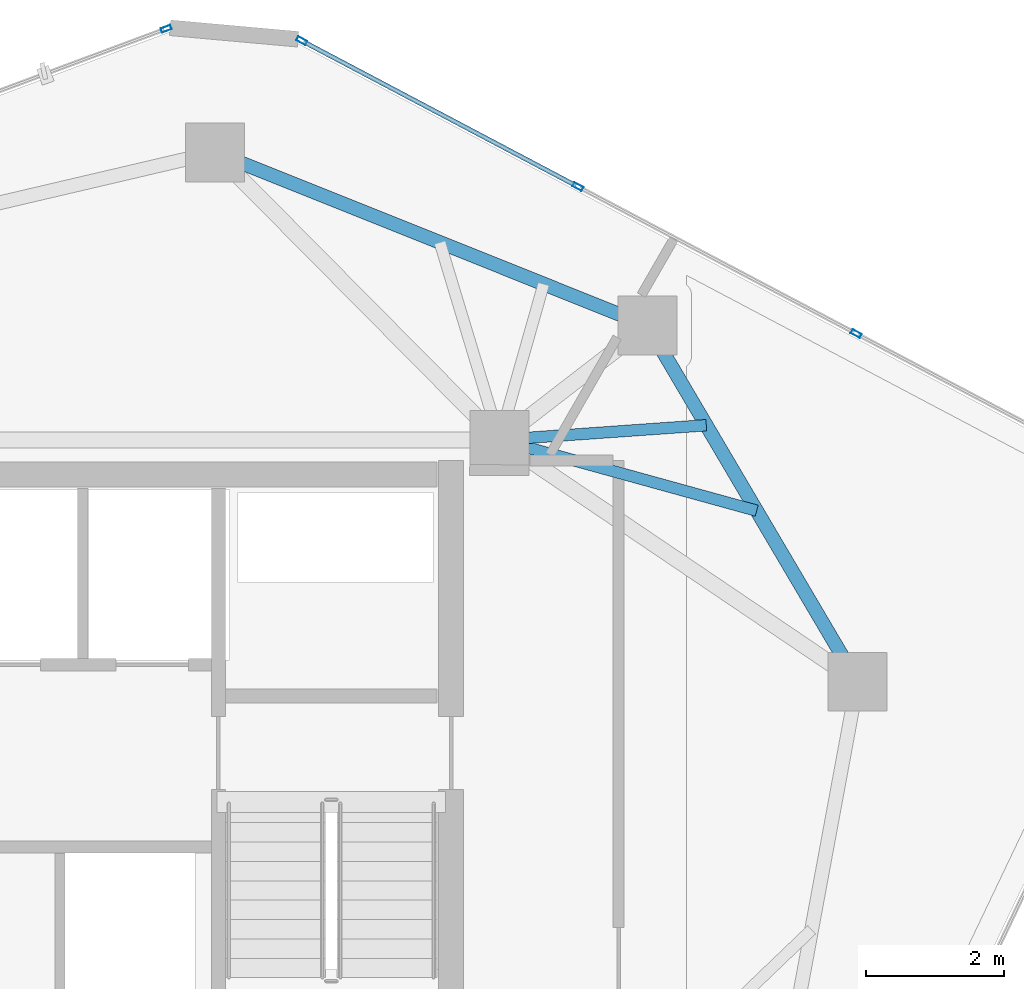
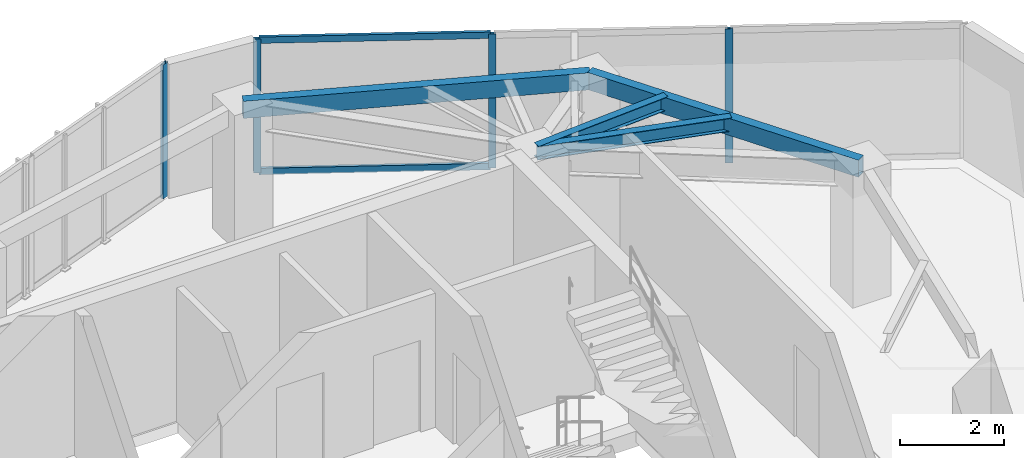
# One storey, part 14 of 20: 6 members, 4 beams, 2 elements without a shape of their own.
"""IFC4 building model written with IfcOpenShell, lengths in metres."""

from ifc_helpers import new_model, si_unit, direction, frame, origin, origin_2d, place, context, subcontext, project, spatial, hollow_rectangle, i_section, extrude, source, transform, mapped, material, layer, layer_set, material_profile, profile_set, type_object, type_shapes, element, aggregate, save


model = new_model("IFC4")

# Units and contexts
model_context = context("Model", 3, precision=1e-05, world=origin(), true_north=direction((0.0, 1.0)))
body_context = subcontext(model_context, "Body", "Model", "MODEL_VIEW")
ifc_project = project(units=[si_unit("LENGTHUNIT", "METRE"), si_unit("AREAUNIT", "SQUARE_METRE"), si_unit("VOLUMEUNIT", "CUBIC_METRE"), si_unit("PLANEANGLEUNIT", "RADIAN"), si_unit("MASSUNIT", "GRAM", prefix="KILO")], contexts=[model_context])

# Site, building, storey
site_placement = place(None, origin())
site = spatial("IfcSite", under=ifc_project, at=site_placement, CompositionType="ELEMENT")
building_placement = place(site_placement, origin())
building = spatial("IfcBuilding", under=site, at=building_placement, Name="Talar Marvaseh", CompositionType="ELEMENT")
storey_placement = place(building_placement, frame((0.0, 0.0, 281.60009765625)))
storey = spatial("IfcBuildingStorey", under=building, at=storey_placement, Name="L75", CompositionType="ELEMENT", Elevation=281.60009765625)

# Beams
ifc_material_1 = material(Name="Steel S355", Category="steel")
ifc_material_profile_1 = material_profile(ifc_material_1, hollow_rectangle(XDim=0.199951171875, YDim=0.39990234375, WallThickness=0.013916015625, at=origin_2d()), Name="RHS400x200x14")
ifc_profile_set_1 = profile_set([ifc_material_profile_1], Name="Steel S355")
beam_type_1 = type_object("IfcBeamType", Name="Zone 3 Perimeter Spandrel Beam RHS400x200x14", PredefinedType="SPANDREL", material=ifc_profile_set_1)
beam_1_placement = place(storey_placement, frame((29.18798828125, 41.052001953125, 2.93994140625), z_axis=(0.928426659475, -0.371515730456, 0.0), x_axis=(0.371515730456, 0.928426659475, 0.0)))
element("IfcBeam", 1, at=beam_1_placement, inside=storey, type_object=beam_type_1, Name="L75 Zone 3 Perimeter Spandrel Beam RHS400x200x14", PredefinedType="SPANDREL", context=body_context, shape_type="SweptSolid", body=[
    extrude(hollow_rectangle(XDim=0.199951171875, YDim=0.39990234375, WallThickness=0.013916015625, at=origin_2d()), origin(), (0.0, 0.0, 1.0), 6.73193359375),
])
beam_2_placement = place(storey_placement, frame((35.43798828125, 38.551025390625, 2.93994140625), z_axis=(0.507825587611, -0.861459907696, 0.0), x_axis=(0.861459907696, 0.507825587611, 0.0)))
element("IfcBeam", 2, at=beam_2_placement, inside=storey, type_object=beam_type_1, Name="L75 Zone 3 Perimeter Spandrel Beam RHS400x200x14", PredefinedType="SPANDREL", context=body_context, shape_type="SweptSolid", body=[
    extrude(hollow_rectangle(XDim=0.199951171875, YDim=0.39990234375, WallThickness=0.013916015625, at=origin_2d()), origin(), (0.0, 0.0, 1.0), 5.972412109375),
])
ifc_material_profile_2 = material_profile(ifc_material_1, i_section(OverallWidth=0.166015625, OverallDepth=0.31298828125, WebThickness=0.006591796875, FlangeThickness=0.01123046875, at=origin_2d()), Name="W310x45")
ifc_profile_set_2 = profile_set([ifc_material_profile_2], Name="Steel S355")
beam_type_2 = type_object("IfcBeamType", Name="Zone 3 Secondary Floor Joist W310x45", PredefinedType="JOIST", material=ifc_profile_set_2)
beam_3_placement = place(storey_placement, frame((36.287109375, 37.1103515625, 2.9833984375), z_axis=(-0.99752734531, -0.070279409208, 0.0), x_axis=(0.070279409208, -0.99752734531, 0.0)))
element("IfcBeam", 3, at=beam_3_placement, inside=storey, type_object=beam_type_2, Name="L75 Zone 3 Secondary Floor Joist W310x45", PredefinedType="JOIST", context=body_context, shape_type="SweptSolid", body=[
    extrude(i_section(OverallWidth=0.166015625, OverallDepth=0.31298828125, WebThickness=0.006591796875, FlangeThickness=0.01123046875, at=origin_2d()), origin(), (0.0, 0.0, 1.0), 2.994384765625),
])
beam_4_placement = place(storey_placement, frame((37.01513671875, 35.87548828125, 2.9833984375), z_axis=(-0.964021733175, 0.265823433818, 0.0), x_axis=(-0.265823433818, -0.964021733175, 0.0)))
element("IfcBeam", 4, at=beam_4_placement, inside=storey, type_object=beam_type_2, Name="L75 Zone 3 Secondary Floor Joist W310x45", PredefinedType="JOIST", context=body_context, shape_type="SweptSolid", body=[
    extrude(i_section(OverallWidth=0.166015625, OverallDepth=0.31298828125, WebThickness=0.006591796875, FlangeThickness=0.01123046875, at=origin_2d()), origin(), (0.0, 0.0, 1.0), 3.853759765625),
])

# Curtain wall, member
ifc_material_2 = material(Name="Architectural Aluminium", Category="aluminium")
ifc_layer = layer(ifc_material_2, 0.179931640625)
ifc_layer_set = layer_set([ifc_layer], Name="Architectural Aluminium")
curtain_wall_type = type_object("IfcCurtainWallType", Name="Unitised High-Wind Sky Curtain Wall Z4", PredefinedType="NOTDEFINED", material=ifc_layer_set)
curtain_wall_1_placement = place(storey_placement, origin())
curtain_wall_1 = element("IfcCurtainWall", 5, at=curtain_wall_1_placement, inside=storey, type_object=curtain_wall_type, Name="L75 Unitised High-Wind Sky Curtain Wall Z4", PredefinedType="NOTDEFINED")
ifc_material_profile_3 = material_profile(ifc_material_2, hollow_rectangle(XDim=0.06494140625, YDim=0.14990234375, WallThickness=0.00390625, at=origin_2d()), Name="RHS150x65x4")
ifc_profile_set_3 = profile_set([ifc_material_profile_3], Name="Architectural Aluminium")
member_type_1 = type_object("IfcMemberType", Name="Unitised Curtain Wall Slim Mullion RHS150x65x4", PredefinedType="MULLION", material=ifc_profile_set_3)
shared_shape_1 = source(origin(), body_context, "Body", "SweptSolid", [
    extrude(hollow_rectangle(XDim=0.06494140625, YDim=0.14990234375, WallThickness=0.00390625, at=origin_2d()), origin(), (0.0, 0.0, 1.0), 3.139892578125),
])
type_shapes(member_type_1, [shared_shape_1])
member_1_placement = place(storey_placement, frame((28.485595703125, 42.83740234375, 0.0), z_axis=(0.0, 0.0, 1.0), x_axis=(-0.34909350612, 0.937087895549, 0.0)))
member_1 = element("IfcMember", 6, at=member_1_placement, type_object=member_type_1, Name="CW-Z4 mullion 4", PredefinedType="MULLION", context=body_context, shape_type="MappedRepresentation", body=[
    mapped(shared_shape_1, transform((0.0, 0.0, 0.0), x_axis=(1.0, 0.0, 0.0), y_axis=(0.0, 1.0, 0.0), z_axis=(0.0, 0.0, 1.0), scale=1.0)),
])
aggregate(curtain_wall_1, [member_1])

# Curtain wall, members
curtain_wall_2_placement = place(storey_placement, origin())
curtain_wall_2 = element("IfcCurtainWall", 7, at=curtain_wall_2_placement, inside=storey, type_object=curtain_wall_type, Name="L75 Unitised High-Wind Sky Curtain Wall Z4", PredefinedType="NOTDEFINED")
member_2_placement = place(storey_placement, frame((30.44287109375, 42.66455078125, 0.0), z_axis=(0.0, 0.0, 1.0), x_axis=(0.467097989071, 0.884205557891, 0.0)))
member_2 = element("IfcMember", 8, at=member_2_placement, type_object=member_type_1, Name="CW-Z4 mullion 1", PredefinedType="MULLION", context=body_context, shape_type="MappedRepresentation", body=[
    mapped(shared_shape_1, transform((0.0, 0.0, 0.0), x_axis=(1.0, 0.0, 0.0), y_axis=(0.0, 1.0, 0.0), z_axis=(0.0, 0.0, 1.0), scale=1.0)),
])
member_3_placement = place(storey_placement, frame((34.4326171875, 40.556884765625, 0.0), z_axis=(0.0, 0.0, 1.0), x_axis=(0.467097989071, 0.884205557891, 0.0)))
member_3 = element("IfcMember", 9, at=member_3_placement, type_object=member_type_1, Name="CW-Z4 mullion 2", PredefinedType="MULLION", context=body_context, shape_type="MappedRepresentation", body=[
    mapped(shared_shape_1, transform((0.0, 0.0, 0.0), x_axis=(1.0, 0.0, 0.0), y_axis=(0.0, 1.0, 0.0), z_axis=(0.0, 0.0, 1.0), scale=1.0)),
])
member_4_placement = place(storey_placement, frame((38.451416015625, 38.43408203125, 0.0), z_axis=(0.0, 0.0, 1.0), x_axis=(0.467097989071, 0.884205557891, 0.0)))
member_4 = element("IfcMember", 10, at=member_4_placement, type_object=member_type_1, Name="CW-Z4 mullion 3", PredefinedType="MULLION", context=body_context, shape_type="MappedRepresentation", body=[
    mapped(shared_shape_1, transform((0.0, 0.0, 0.0), x_axis=(1.0, 0.0, 0.0), y_axis=(0.0, 1.0, 0.0), z_axis=(0.0, 0.0, 1.0), scale=1.0)),
])
ifc_material_profile_4 = material_profile(ifc_material_2, hollow_rectangle(XDim=0.06494140625, YDim=0.14990234375, WallThickness=0.00390625, at=origin_2d()), Name="RHS150x65x4")
ifc_profile_set_4 = profile_set([ifc_material_profile_4], Name="Architectural Aluminium")
member_type_2 = type_object("IfcMemberType", Name="Unitised Curtain Wall Slim Transom RHS150x65x4", PredefinedType="USERDEFINED", material=ifc_profile_set_4)
shared_shape_2 = source(origin(), body_context, "Body", "SweptSolid", [
    extrude(hollow_rectangle(XDim=0.06494140625, YDim=0.14990234375, WallThickness=0.00390625, at=origin_2d()), origin(), (0.0, 0.0, 1.0), 4.447265625),
])
type_shapes(member_type_2, [shared_shape_2])
member_5_placement = place(storey_placement, frame((30.4716796875, 42.6494140625, 0.032470703125), z_axis=(0.884201512077, -0.467105647623, 0.0), x_axis=(0.467105647623, 0.884201512077, 0.0)))
member_5 = element("IfcMember", 11, at=member_5_placement, type_object=member_type_2, Name="CW-Z4 transom 1.1", ObjectType="TRANSOM", PredefinedType="USERDEFINED", context=body_context, shape_type="MappedRepresentation", body=[
    mapped(shared_shape_2, transform((0.0, 0.0, 0.0), x_axis=(1.0, 0.0, 0.0), y_axis=(0.0, 1.0, 0.0), z_axis=(0.0, 0.0, 1.0), scale=1.0)),
])
member_6_placement = place(storey_placement, frame((30.4716796875, 42.6494140625, 3.107421875), z_axis=(0.884201512077, -0.467105647623, 0.0), x_axis=(0.467105647623, 0.884201512077, 0.0)))
member_6 = element("IfcMember", 12, at=member_6_placement, type_object=member_type_2, Name="CW-Z4 transom 1.2", ObjectType="TRANSOM", PredefinedType="USERDEFINED", context=body_context, shape_type="MappedRepresentation", body=[
    mapped(shared_shape_2, transform((0.0, 0.0, 0.0), x_axis=(1.0, 0.0, 0.0), y_axis=(0.0, 1.0, 0.0), z_axis=(0.0, 0.0, 1.0), scale=1.0)),
])
aggregate(curtain_wall_2, [member_2, member_3, member_4, member_5, member_6])

save(model, "model.ifc")
